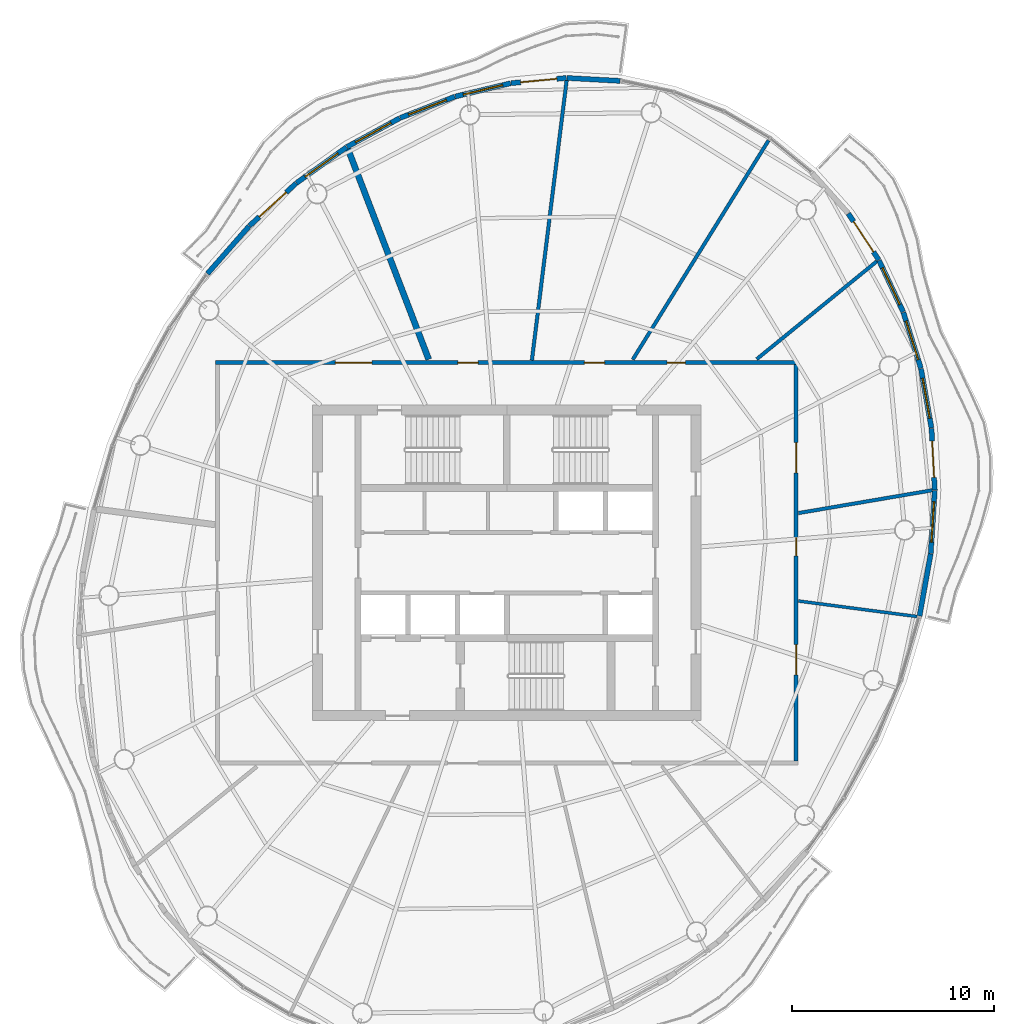
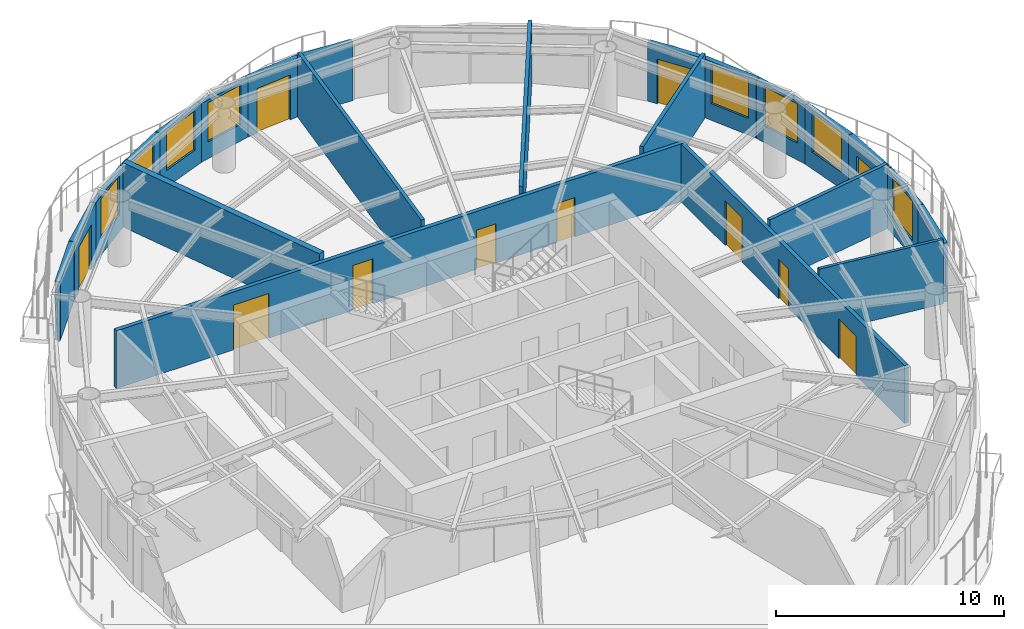
# One storey, part 9 of 13: 23 walls, 11 doors, 8 windows, 19 openings.
"""IFC4 building model written with IfcOpenShell, lengths in metres."""

import ifcopenshell
import ifcopenshell.guid

model = None  # the IFC model being written
_history = None  # IfcOwnerHistory: only IFC2X3 demands one
_inside = {}  # id of a spatial element -> (the spatial element, [elements in it])
_under = {}  # id of a project, library or spatial element -> (it, [spatial elements below it])
_declared = {}  # id of a project -> (the project, [libraries it declares])
_typed = {}  # id of a type object -> (the type object, [elements of that type])
_made_of = {}  # id of a material, layer set ... -> (it, [elements and type objects made of it])


def new_model(schema):
    """Start an empty IFC model of exactly this schema.

    Asked for "IFC4X3", IfcOpenShell would pick the latest addendum, in which some entities
    have other attributes; the version numbers below select the first issue.
    IFC2X3 requires an IfcOwnerHistory on every rooted entity: one is made here for all.
    """
    global model, _history
    if schema == "IFC4X3":
        model = ifcopenshell.file(schema_version=(4, 3, 0, 0))
    else:
        model = ifcopenshell.file(schema=schema)
    _inside.clear()
    _under.clear()
    _declared.clear()
    _typed.clear()
    _made_of.clear()
    _history = None
    if model.schema == "IFC2X3":
        org = make("IfcOrganization", Name="unknown")
        user = make(
            "IfcPersonAndOrganization",
            ThePerson=make("IfcPerson", FamilyName="unknown"),
            TheOrganization=org,
        )
        app = make(
            "IfcApplication",
            ApplicationDeveloper=org,
            Version="unknown",
            ApplicationFullName="unknown",
            ApplicationIdentifier="unknown",
        )
        _history = make(
            "IfcOwnerHistory",
            OwningUser=user,
            OwningApplication=app,
            ChangeAction="ADDED",
            CreationDate=0,
        )
    return model


def make(cls, **values):
    """One entity of the class cls with the attributes given. An attribute that is None is left unset."""
    return model.create_entity(
        cls, **{name: value for name, value in values.items() if value is not None}
    )


def rooted(cls, **values):
    """An entity with a GlobalId (a new one), such as an element, a storey or a relation."""
    return make(cls, GlobalId=ifcopenshell.guid.new(), OwnerHistory=_history, **values)


def si_unit(unit_type, name, prefix=None):
    """IfcSIUnit, for example si_unit("LENGTHUNIT", "METRE", prefix="MILLI")."""
    return make("IfcSIUnit", UnitType=unit_type, Prefix=prefix, Name=name)


def assignment(units):
    """IfcUnitAssignment: the units of a project."""
    return None if units is None else make("IfcUnitAssignment", Units=units)


def point(xyz):
    """IfcCartesianPoint."""
    return None if xyz is None else make("IfcCartesianPoint", Coordinates=xyz)


def direction(xyz):
    """IfcDirection."""
    return None if xyz is None else make("IfcDirection", DirectionRatios=xyz)


def frame(location, z_axis=None, x_axis=None):
    """IfcAxis2Placement3D, a coordinate frame: its origin and axes. An axis left out is left unset."""
    return make(
        "IfcAxis2Placement3D",
        Location=point(location),
        Axis=direction(z_axis),
        RefDirection=direction(x_axis),
    )


def frame_2d(location, x_axis=None):
    """IfcAxis2Placement2D, a coordinate frame in the plane: its origin and x axis."""
    return make(
        "IfcAxis2Placement2D", Location=point(location), RefDirection=direction(x_axis)
    )


def origin():
    """The frame at (0, 0, 0) with its axes left unset."""
    return frame((0.0, 0.0, 0.0))


def place(relative_to, where):
    """IfcLocalPlacement: puts the frame where relative to a parent placement (None: the world)."""
    return make(
        "IfcLocalPlacement", PlacementRelTo=relative_to, RelativePlacement=where
    )


def context(
    kind, dimensions, precision=None, world=None, true_north=None, identifier=None
):
    """IfcGeometricRepresentationContext, for example the 3D "Model" context."""
    return make(
        "IfcGeometricRepresentationContext",
        ContextIdentifier=identifier,
        ContextType=kind,
        CoordinateSpaceDimension=dimensions,
        Precision=precision,
        WorldCoordinateSystem=world,
        TrueNorth=true_north,
    )


def subcontext(parent, identifier, kind, view, scale=None):
    """IfcGeometricRepresentationSubContext, for example "Body" below "Model"."""
    return make(
        "IfcGeometricRepresentationSubContext",
        ContextIdentifier=identifier,
        ContextType=kind,
        ParentContext=parent,
        TargetScale=scale,
        TargetView=view,
    )


def project(units=None, contexts=None):
    """IfcProject with its units and contexts."""
    return rooted(
        "IfcProject",
        Name="project",
        RepresentationContexts=contexts,
        UnitsInContext=assignment(units),
    )


def spatial(cls, under=None, at=None, **own):
    """A site, building, storey or space (cls), placed at a placement, below another one or the project."""
    s = rooted(cls, ObjectPlacement=at, **own)
    if under is not None:
        _under.setdefault(under.id(), (under, []))[1].append(s)
    return s


def profile(cls, at=None, kind="AREA", **sizes):
    """A parametric profile (cls). Its sizes go by their IFC names, for example OverallWidth=200.0."""
    return make(cls, ProfileType=kind, Position=at, **sizes)


def rectangle(**sizes):
    """IfcRectangleProfileDef."""
    return profile("IfcRectangleProfileDef", **sizes)


def extrude(swept, where, along, depth):
    """IfcExtrudedAreaSolid: the profile swept, set in the frame where, extruded along a direction by depth."""
    return make(
        "IfcExtrudedAreaSolid",
        SweptArea=swept,
        Position=where,
        ExtrudedDirection=direction(along),
        Depth=depth,
    )


def shape(context_of_items, identifier, shape_type, items):
    """IfcShapeRepresentation: the items that make up one representation, for example the "Body"."""
    return make(
        "IfcShapeRepresentation",
        ContextOfItems=context_of_items,
        RepresentationIdentifier=identifier,
        RepresentationType=shape_type,
        Items=items,
    )


def material(Name=None, Category=None):
    """IfcMaterial."""
    return make("IfcMaterial", Name=Name, Category=Category)


def layer(
    of_material, thickness, ventilated=None, Name=None, Category=None, Priority=None
):
    """IfcMaterialLayer: one layer of a wall or slab, of a material (None: an air gap)."""
    return make(
        "IfcMaterialLayer",
        Material=of_material,
        LayerThickness=thickness,
        IsVentilated=ventilated,
        Name=Name,
        Category=Category,
        Priority=Priority,
    )


def layer_set(layers, Name=None):
    """IfcMaterialLayerSet."""
    return make("IfcMaterialLayerSet", MaterialLayers=layers, LayerSetName=Name)


def made_of(thing, what):
    """Note that an element or type object is made of a material, layer set ...; save() writes the relation."""
    if what is not None:
        _made_of.setdefault(what.id(), (what, []))[1].append(thing)
    return thing


def type_object(cls, material=None, **own):
    """A type object (cls), such as IfcWallType, which elements share."""
    return made_of(rooted(cls, **own), material)


def element(
    cls,
    number,
    at=None,
    inside=None,
    cuts=None,
    type_object=None,
    material=None,
    context=None,
    identifier="Body",
    shape_type=None,
    held_by="IfcProductDefinitionShape",
    body=None,
    shapes=None,
    **own,
):
    """One element of the class cls, such as IfcWall. Its Tag is "e" and its number.

    at: its placement. inside: the storey or other place that contains it. cuts: it is an
    opening in that element (IfcRelVoidsElement). A single representation is given by context,
    identifier, shape_type and body (its items); several are given by shapes. held_by: the class
    of the entity that holds the representations. save() writes the other relations.
    """
    e = rooted(cls, Tag="e%d" % number, ObjectPlacement=at, **own)
    if body is not None:
        shapes = [shape(context, identifier, shape_type, body)]
    if shapes is not None:
        e.Representation = make(held_by, Representations=shapes)
    if inside is not None:
        _inside.setdefault(inside.id(), (inside, []))[1].append(e)
    if cuts is not None:
        rooted(
            "IfcRelVoidsElement", RelatingBuildingElement=cuts, RelatedOpeningElement=e
        )
    if type_object is not None:
        _typed.setdefault(type_object.id(), (type_object, []))[1].append(e)
    return made_of(e, material)


def fill(opening, filler):
    """IfcRelFillsElement: the door or window that sits in an opening."""
    return rooted(
        "IfcRelFillsElement",
        RelatingOpeningElement=opening,
        RelatedBuildingElement=filler,
    )


def aggregate(whole, parts):
    """IfcRelAggregates: a whole, such as a stair, and the parts it consists of."""
    return rooted("IfcRelAggregates", RelatingObject=whole, RelatedObjects=parts)


def save(model, path):
    """Write the relations noted so far, then the file.

    IfcRelAggregates (storeys below a building ...), IfcRelContainedInSpatialStructure (elements
    in a storey), IfcRelDefinesByType, IfcRelAssociatesMaterial and IfcRelDeclares: one each for
    every whole, place, type object, material and project.
    """
    for whole, parts in _under.values():
        aggregate(whole, parts)
    for where, things in _inside.values():
        rooted(
            "IfcRelContainedInSpatialStructure",
            RelatedElements=things,
            RelatingStructure=where,
        )
    for kind, things in _typed.values():
        rooted("IfcRelDefinesByType", RelatedObjects=things, RelatingType=kind)
    for what, things in _made_of.values():
        rooted("IfcRelAssociatesMaterial", RelatedObjects=things, RelatingMaterial=what)
    for by, libraries in _declared.values():
        rooted("IfcRelDeclares", RelatingContext=by, RelatedDefinitions=libraries)
    model.write(path)


model = new_model("IFC4")

# Units and contexts
model_context = context("Model", 3, precision=1e-05, world=origin(), true_north=direction((0.0, 1.0)))
body_context = subcontext(model_context, "Body", "Model", "MODEL_VIEW")
ifc_project = project(units=[si_unit("LENGTHUNIT", "METRE"), si_unit("AREAUNIT", "SQUARE_METRE"), si_unit("VOLUMEUNIT", "CUBIC_METRE"), si_unit("PLANEANGLEUNIT", "RADIAN"), si_unit("MASSUNIT", "GRAM", prefix="KILO")], contexts=[model_context])

# Site, building, storey
site_placement = place(None, origin())
site = spatial("IfcSite", under=ifc_project, at=site_placement, CompositionType="ELEMENT")
building_placement = place(site_placement, origin())
building = spatial("IfcBuilding", under=site, at=building_placement, Name="Vermilion Reach Broadcast Tower", CompositionType="ELEMENT")
storey_placement = place(building_placement, frame((0.0, 0.0, 290.10009765625)))
storey = spatial("IfcBuildingStorey", under=building, at=storey_placement, Name="L72", CompositionType="ELEMENT", Elevation=290.10009765625)

# Walls
ifc_material_1 = material(Name="Lightweight concrete block, plastered", Category="concrete")
ifc_layer_1 = layer(ifc_material_1, 0.14990234375)
ifc_layer_set_1 = layer_set([ifc_layer_1], Name="Partition 150 lightweight block")
wall_type_1 = type_object("IfcWallType", Name="Partition 150 lightweight block", PredefinedType="PARTITIONING", material=ifc_layer_set_1)
wall_1_placement = place(storey_placement, frame((14.27001953125, -2.652099609375, 0.0), z_axis=(0.0, 0.0, 1.0), x_axis=(-0.991547118816, 0.129747104658, 0.0)))
element("IfcWall", 1, at=wall_1_placement, inside=storey, type_object=wall_type_1, Name="Partition 72.09", PredefinedType="PARTITIONING", context=body_context, shape_type="SweptSolid", body=[
    extrude(rectangle(XDim=5.910400390625, YDim=0.14990234375, at=frame_2d((2.955078125, 0.0))), origin(), (0.0, 0.0, 1.0), 3.449951171875),
])
ifc_material_2 = material(Name="Fire-rated block, plastered")
ifc_layer_2 = layer(ifc_material_2, 0.175048828125)
ifc_layer_set_2 = layer_set([ifc_layer_2], Name="Partition 175 fire-rated block")
wall_type_2 = type_object("IfcWallType", Name="Partition 175 fire-rated block", PredefinedType="PARTITIONING", material=ifc_layer_set_2)
wall_2_placement = place(storey_placement, frame((-3.04150390625, 23.84228515625, 0.0), z_axis=(0.0, 0.0, 1.0), x_axis=(-0.123142143045, -0.99238904297, 0.0)))
element("IfcWall", 2, at=wall_2_placement, inside=storey, type_object=wall_type_2, Name="Partition 72.01", PredefinedType="PARTITIONING", context=body_context, shape_type="SweptSolid", body=[
    extrude(rectangle(XDim=13.9375, YDim=0.175048828125, at=frame_2d((6.96875, 0.0))), origin(), (0.0, 0.0, 1.0), 3.449951171875),
])
wall_3_placement = place(storey_placement, frame((15.02880859375, 3.587890625, 0.0), z_axis=(0.0, 0.0, 1.0), x_axis=(-0.985756294693, -0.168180044814, 0.0)))
element("IfcWall", 3, at=wall_3_placement, inside=storey, type_object=wall_type_2, Name="Partition 72.10", PredefinedType="PARTITIONING", context=body_context, shape_type="SweptSolid", body=[
    extrude(rectangle(XDim=6.70947265625, YDim=0.175048828125, at=frame_2d((3.354736328125, 0.0))), origin(), (0.0, 0.0, 1.0), 3.449951171875),
])
wall_4_placement = place(storey_placement, frame((12.283935546875, 14.900146484375, 0.0), z_axis=(0.0, 0.0, 1.0), x_axis=(-0.775191568624, -0.631726231792, 0.0)))
element("IfcWall", 4, at=wall_4_placement, inside=storey, type_object=wall_type_2, Name="Partition 72.11", PredefinedType="PARTITIONING", context=body_context, shape_type="SweptSolid", body=[
    extrude(rectangle(XDim=7.6494140625, YDim=0.175048828125, at=frame_2d((3.82470703125, 0.0))), origin(), (0.0, 0.0, 1.0), 3.449951171875),
])
wall_5_placement = place(storey_placement, frame((6.9375, 20.877685546875, 0.0), z_axis=(0.0, 0.0, 1.0), x_axis=(-0.526747010392, -0.850022109738, 0.0)))
element("IfcWall", 5, at=wall_5_placement, inside=storey, type_object=wall_type_2, Name="Partition 72.12", PredefinedType="PARTITIONING", context=body_context, shape_type="SweptSolid", body=[
    extrude(rectangle(XDim=12.74267578125, YDim=0.175048828125, at=frame_2d((6.371337890625, 0.0))), origin(), (0.0, 0.0, 1.0), 3.449951171875),
])
ifc_material_3 = material(Name="Double-leaf plasterboard on isolated steel stud", Category="steel")
ifc_layer_3 = layer(ifc_material_3, 0.300048828125)
ifc_layer_set_3 = layer_set([ifc_layer_3], Name="Partition 300 acoustic double leaf")
wall_type_3 = type_object("IfcWallType", Name="Partition 300 acoustic double leaf", PredefinedType="PARTITIONING", material=ifc_layer_set_3)
wall_6_placement = place(storey_placement, frame((-13.84423828125, 20.445556640625, 0.0), z_axis=(0.0, 0.0, 1.0), x_axis=(0.358211704093, -0.933640388507, 0.0)))
element("IfcWall", 6, at=wall_6_placement, inside=storey, type_object=wall_type_3, Name="Partition 72.02", PredefinedType="PARTITIONING", context=body_context, shape_type="SweptSolid", body=[
    extrude(rectangle(XDim=11.13037109375, YDim=0.300048828125, at=frame_2d((5.565185546875, 0.0))), origin(), (0.0, 0.0, 1.0), 3.449951171875),
])
ifc_material_4 = material(Name="Terracotta rainscreen cladding", Category="masonry")
ifc_layer_4 = layer(ifc_material_4, 0.25)
ifc_layer_set_4 = layer_set([ifc_layer_4], Name="Terracotta rainscreen wall 250")
wall_type_4 = type_object("IfcWallType", Name="Terracotta rainscreen wall 250", PredefinedType="SOLIDWALL", material=ifc_layer_set_4)
wall_7_placement = place(storey_placement, frame((-0.395751953125, 23.820068359375, 0.0), z_axis=(0.0, 0.0, 1.0), x_axis=(-0.998463198624, 0.055418778352, 0.0)))
element("IfcWall", 7, at=wall_7_placement, inside=storey, type_object=wall_type_4, Name="External wall L72 02", PredefinedType="SOLIDWALL", context=body_context, shape_type="SweptSolid", body=[
    extrude(rectangle(XDim=2.638916015625, YDim=0.25, at=frame_2d((1.3193359375, 0.0))), origin(), (0.0, 0.0, 1.0), 3.14990234375),
])

# Wall, opening, door
wall_8_placement = place(storey_placement, frame((-3.05712890625, 23.9658203125, 0.0), z_axis=(0.0, 0.0, 1.0), x_axis=(-0.995626981475, -0.093417952019, 0.0)))
wall_8 = element("IfcWall", 8, at=wall_8_placement, inside=storey, type_object=wall_type_4, Name="External wall L72 03", PredefinedType="SOLIDWALL", context=body_context, shape_type="SweptSolid", body=[
    extrude(rectangle(XDim=2.741455078125, YDim=0.25, at=frame_2d((1.37060546875, 0.0))), origin(), (0.0, 0.0, 1.0), 3.14990234375),
])
opening_1_placement = place(wall_8_placement, frame((0.470947265625, 0.0, 0.0)))
opening_1 = element("IfcOpeningElement", 9, at=opening_1_placement, cuts=wall_8, Name="Opening D70", PredefinedType="OPENING", context=body_context, shape_type="SweptSolid", body=[
    extrude(rectangle(XDim=1.800048828125, YDim=2.39990234375, at=frame_2d((0.89990234375, 1.199951171875))), frame((0.0, 0.135009765625, 0.0), z_axis=(0.0, -1.0, 0.0), x_axis=(1.0, 0.0, 0.0)), (0.0, 0.0, 1.0), 0.27001953125),
])
ifc_material_5 = material(Name="Low-e laminated clear glass in aluminium frame", Category="aluminium")
door_type_1 = type_object("IfcDoorType", Name="Balcony sliding door 1800 x 2400", OperationType="DOUBLE_DOOR_SLIDING", PredefinedType="DOOR", material=ifc_material_5)
door_1_placement = place(opening_1_placement, origin())
door_1 = element("IfcDoor", 10, at=door_1_placement, inside=storey, type_object=door_type_1, Name="Balcony door L72 run 01", OperationType="DOUBLE_DOOR_SLIDING", OverallHeight=2.39990234375, OverallWidth=1.800048828125, PredefinedType="DOOR", context=body_context, shape_type="SweptSolid", body=[
    extrude(rectangle(XDim=1.800048828125, YDim=2.39990234375, at=frame_2d((0.89990234375, 1.199951171875))), frame((0.0, 0.02490234375, 0.0), z_axis=(0.0, -1.0, 0.0), x_axis=(1.0, 0.0, 0.0)), (0.0, 0.0, 1.0), 0.050048828125),
])
fill(opening_1, door_1)

# Wall, opening, window
wall_9_placement = place(storey_placement, frame((-5.81201171875, 23.70556640625, 0.0), z_axis=(0.0, 0.0, 1.0), x_axis=(-0.972306924108, -0.233707606491, 0.0)))
wall_9 = element("IfcWall", 11, at=wall_9_placement, inside=storey, type_object=wall_type_4, Name="External wall L72 04", PredefinedType="SOLIDWALL", context=body_context, shape_type="SweptSolid", body=[
    extrude(rectangle(XDim=2.814208984375, YDim=0.25, at=frame_2d((1.4072265625, 0.0))), origin(), (0.0, 0.0, 1.0), 3.14990234375),
])
opening_2_placement = place(wall_9_placement, frame((0.4072265625, 0.0, 0.89990234375)))
opening_2 = element("IfcOpeningElement", 12, at=opening_2_placement, cuts=wall_9, Name="Opening W03", PredefinedType="OPENING", context=body_context, shape_type="SweptSolid", body=[
    extrude(rectangle(XDim=2.0, YDim=2.10009765625, at=frame_2d((1.0, 1.050048828125))), frame((0.0, 0.135009765625, 0.0), z_axis=(0.0, -1.0, 0.0), x_axis=(1.0, 0.0, 0.0)), (0.0, 0.0, 1.0), 0.27001953125),
])
ifc_material_6 = material(Name="Low-e laminated clear glass in aluminium frame", Category="aluminium")
window_type = type_object("IfcWindowType", Name="Punched window 2000 x 2100 sill 900", PartitioningType="SINGLE_PANEL", PredefinedType="WINDOW", material=ifc_material_6)
window_1_placement = place(opening_2_placement, origin())
window_1 = element("IfcWindow", 13, at=window_1_placement, inside=storey, type_object=window_type, Name="Window L72 04", OverallHeight=2.10009765625, OverallWidth=2.0, PartitioningType="SINGLE_PANEL", PredefinedType="WINDOW", context=body_context, shape_type="SweptSolid", body=[
    extrude(rectangle(XDim=2.0, YDim=2.10009765625, at=frame_2d((1.0, 1.050048828125))), frame((0.0, 0.030029296875, 0.0), z_axis=(0.0, -1.0, 0.0), x_axis=(1.0, 0.0, 0.0)), (0.0, 0.0, 1.0), 0.06005859375),
])
fill(opening_2, window_1)

wall_10_placement = place(storey_placement, frame((-8.572021484375, 23.04052734375, 0.0), z_axis=(0.0, 0.0, 1.0), x_axis=(-0.931927060947, -0.362645768035, 0.0)))
wall_10 = element("IfcWall", 14, at=wall_10_placement, inside=storey, type_object=wall_type_4, Name="External wall L72 05", PredefinedType="SOLIDWALL", context=body_context, shape_type="SweptSolid", body=[
    extrude(rectangle(XDim=2.8935546875, YDim=0.25, at=frame_2d((1.44677734375, 0.0))), origin(), (0.0, 0.0, 1.0), 3.14990234375),
])
opening_3_placement = place(wall_10_placement, frame((0.44677734375, 0.0, 0.89990234375)))
opening_3 = element("IfcOpeningElement", 15, at=opening_3_placement, cuts=wall_10, Name="Opening W03", PredefinedType="OPENING", context=body_context, shape_type="SweptSolid", body=[
    extrude(rectangle(XDim=2.0, YDim=2.10009765625, at=frame_2d((1.0, 1.050048828125))), frame((0.0, 0.135009765625, 0.0), z_axis=(0.0, -1.0, 0.0), x_axis=(1.0, 0.0, 0.0)), (0.0, 0.0, 1.0), 0.27001953125),
])
window_2_placement = place(opening_3_placement, origin())
window_2 = element("IfcWindow", 16, at=window_2_placement, inside=storey, type_object=window_type, Name="Window L72 05", OverallHeight=2.10009765625, OverallWidth=2.0, PartitioningType="SINGLE_PANEL", PredefinedType="WINDOW", context=body_context, shape_type="SweptSolid", body=[
    extrude(rectangle(XDim=2.0, YDim=2.10009765625, at=frame_2d((1.0, 1.050048828125))), frame((0.0, 0.030029296875, 0.0), z_axis=(0.0, -1.0, 0.0), x_axis=(1.0, 0.0, 0.0)), (0.0, 0.0, 1.0), 0.06005859375),
])
fill(opening_3, window_2)

wall_11_placement = place(storey_placement, frame((-11.29052734375, 21.98095703125, 0.0), z_axis=(0.0, 0.0, 1.0), x_axis=(-0.877823384271, -0.478984452802, 0.0)))
wall_11 = element("IfcWall", 17, at=wall_11_placement, inside=storey, type_object=wall_type_4, Name="External wall L72 06", PredefinedType="SOLIDWALL", context=body_context, shape_type="SweptSolid", body=[
    extrude(rectangle(XDim=2.97314453125, YDim=0.25, at=frame_2d((1.486572265625, 0.0))), origin(), (0.0, 0.0, 1.0), 3.14990234375),
])
opening_4_placement = place(wall_11_placement, frame((0.486572265625, 0.0, 0.89990234375)))
opening_4 = element("IfcOpeningElement", 18, at=opening_4_placement, cuts=wall_11, Name="Opening W03", PredefinedType="OPENING", context=body_context, shape_type="SweptSolid", body=[
    extrude(rectangle(XDim=2.0, YDim=2.10009765625, at=frame_2d((1.0, 1.050048828125))), frame((0.0, 0.135009765625, 0.0), z_axis=(0.0, -1.0, 0.0), x_axis=(1.0, 0.0, 0.0)), (0.0, 0.0, 1.0), 0.27001953125),
])
window_3_placement = place(opening_4_placement, origin())
window_3 = element("IfcWindow", 19, at=window_3_placement, inside=storey, type_object=window_type, Name="Window L72 06", OverallHeight=2.10009765625, OverallWidth=2.0, PartitioningType="SINGLE_PANEL", PredefinedType="WINDOW", context=body_context, shape_type="SweptSolid", body=[
    extrude(rectangle(XDim=2.0, YDim=2.10009765625, at=frame_2d((1.0, 1.050048828125))), frame((0.0, 0.030029296875, 0.0), z_axis=(0.0, -1.0, 0.0), x_axis=(1.0, 0.0, 0.0)), (0.0, 0.0, 1.0), 0.06005859375),
])
fill(opening_4, window_3)

wall_12_placement = place(storey_placement, frame((-13.920166015625, 20.54443359375, 0.0), z_axis=(0.0, 0.0, 1.0), x_axis=(-0.812910032744, -0.582389284469, 0.0)))
wall_12 = element("IfcWall", 20, at=wall_12_placement, inside=storey, type_object=wall_type_4, Name="External wall L72 07", PredefinedType="SOLIDWALL", context=body_context, shape_type="SweptSolid", body=[
    extrude(rectangle(XDim=3.048095703125, YDim=0.25, at=frame_2d((1.52392578125, 0.0))), origin(), (0.0, 0.0, 1.0), 3.14990234375),
])
opening_5_placement = place(wall_12_placement, frame((0.524169921875, 0.0, 0.89990234375)))
opening_5 = element("IfcOpeningElement", 21, at=opening_5_placement, cuts=wall_12, Name="Opening W03", PredefinedType="OPENING", context=body_context, shape_type="SweptSolid", body=[
    extrude(rectangle(XDim=2.0, YDim=2.10009765625, at=frame_2d((1.0, 1.050048828125))), frame((0.0, 0.135009765625, 0.0), z_axis=(0.0, -1.0, 0.0), x_axis=(1.0, 0.0, 0.0)), (0.0, 0.0, 1.0), 0.27001953125),
])
window_4_placement = place(opening_5_placement, origin())
window_4 = element("IfcWindow", 22, at=window_4_placement, inside=storey, type_object=window_type, Name="Window L72 07", OverallHeight=2.10009765625, OverallWidth=2.0, PartitioningType="SINGLE_PANEL", PredefinedType="WINDOW", context=body_context, shape_type="SweptSolid", body=[
    extrude(rectangle(XDim=2.0, YDim=2.10009765625, at=frame_2d((1.0, 1.050048828125))), frame((0.0, 0.030029296875, 0.0), z_axis=(0.0, -1.0, 0.0), x_axis=(1.0, 0.0, 0.0)), (0.0, 0.0, 1.0), 0.06005859375),
])
fill(opening_5, window_4)

# Wall, opening, door
wall_13_placement = place(storey_placement, frame((-16.41552734375, 18.755126953125, 0.0), z_axis=(0.0, 0.0, 1.0), x_axis=(-0.739421840392, -0.673242409502, 0.0)))
wall_13 = element("IfcWall", 23, at=wall_13_placement, inside=storey, type_object=wall_type_4, Name="External wall L72 08", PredefinedType="SOLIDWALL", context=body_context, shape_type="SweptSolid", body=[
    extrude(rectangle(XDim=3.113525390625, YDim=0.25, at=frame_2d((1.556640625, 0.0))), origin(), (0.0, 0.0, 1.0), 3.14990234375),
])
opening_6_placement = place(wall_13_placement, frame((0.656982421875, 0.0, 0.0)))
opening_6 = element("IfcOpeningElement", 24, at=opening_6_placement, cuts=wall_13, Name="Opening D70", PredefinedType="OPENING", context=body_context, shape_type="SweptSolid", body=[
    extrude(rectangle(XDim=1.800048828125, YDim=2.39990234375, at=frame_2d((0.89990234375, 1.199951171875))), frame((0.0, 0.135009765625, 0.0), z_axis=(0.0, -1.0, 0.0), x_axis=(1.0, 0.0, 0.0)), (0.0, 0.0, 1.0), 0.27001953125),
])
door_2_placement = place(opening_6_placement, origin())
door_2 = element("IfcDoor", 25, at=door_2_placement, inside=storey, type_object=door_type_1, Name="Balcony door L72 run 02", OperationType="DOUBLE_DOOR_SLIDING", OverallHeight=2.39990234375, OverallWidth=1.800048828125, PredefinedType="DOOR", context=body_context, shape_type="SweptSolid", body=[
    extrude(rectangle(XDim=1.800048828125, YDim=2.39990234375, at=frame_2d((0.89990234375, 1.199951171875))), frame((0.0, 0.02490234375, 0.0), z_axis=(0.0, -1.0, 0.0), x_axis=(1.0, 0.0, 0.0)), (0.0, 0.0, 1.0), 0.050048828125),
])
fill(opening_6, door_2)

# Walls
for number, where, z_axis, x_axis, name in (
    (26, (-18.7333984375, 16.643310546875, 0.0), (0.0, 0.0, 1.0), (-0.658963977512, -0.752174498598, 0.0), "External wall L72 09"),
    (27, (14.4013671875, -2.626708984375, 0.0), (0.0, 0.0, 1.0), (0.175953031968, 0.98439856285, 0.0), "External wall L72 38"),
):
    element("IfcWall", number, at=place(storey_placement, frame(where, z_axis=z_axis, x_axis=x_axis)), inside=storey, type_object=wall_type_4, Name=name, PredefinedType="SOLIDWALL", context=body_context, shape_type="SweptSolid", body=[
        extrude(rectangle(XDim=3.1220703125, YDim=0.25, at=frame_2d((1.56103515625, 0.0))), origin(), (0.0, 0.0, 1.0), 3.14990234375),
    ])

# Wall, opening, window
wall_14_placement = place(storey_placement, frame((14.953369140625, 0.468505859375, 0.0), z_axis=(0.0, 0.0, 1.0), x_axis=(0.06414046047, 0.997940880679, 0.0)))
wall_14 = element("IfcWall", 28, at=wall_14_placement, inside=storey, type_object=wall_type_4, Name="External wall L72 39", PredefinedType="SOLIDWALL", context=body_context, shape_type="SweptSolid", body=[
    extrude(rectangle(XDim=3.113525390625, YDim=0.25, at=frame_2d((1.556640625, 0.0))), origin(), (0.0, 0.0, 1.0), 3.14990234375),
])
opening_7_placement = place(wall_14_placement, frame((0.556884765625, 0.0, 0.89990234375)))
opening_7 = element("IfcOpeningElement", 29, at=opening_7_placement, cuts=wall_14, Name="Opening W03", PredefinedType="OPENING", context=body_context, shape_type="SweptSolid", body=[
    extrude(rectangle(XDim=2.0, YDim=2.10009765625, at=frame_2d((1.0, 1.050048828125))), frame((0.0, 0.135009765625, 0.0), z_axis=(0.0, -1.0, 0.0), x_axis=(1.0, 0.0, 0.0)), (0.0, 0.0, 1.0), 0.27001953125),
])
window_5_placement = place(opening_7_placement, origin())
window_5 = element("IfcWindow", 30, at=window_5_placement, inside=storey, type_object=window_type, Name="Window L72 39", OverallHeight=2.10009765625, OverallWidth=2.0, PartitioningType="SINGLE_PANEL", PredefinedType="WINDOW", context=body_context, shape_type="SweptSolid", body=[
    extrude(rectangle(XDim=2.0, YDim=2.10009765625, at=frame_2d((1.0, 1.050048828125))), frame((0.0, 0.030029296875, 0.0), z_axis=(0.0, -1.0, 0.0), x_axis=(1.0, 0.0, 0.0)), (0.0, 0.0, 1.0), 0.06005859375),
])
fill(opening_7, window_5)

# Wall, opening, door
wall_15_placement = place(storey_placement, frame((15.1533203125, 3.598388671875, 0.0), z_axis=(0.0, 0.0, 1.0), x_axis=(-0.052781633418, 0.998606078078, 0.0)))
wall_15 = element("IfcWall", 31, at=wall_15_placement, inside=storey, type_object=wall_type_4, Name="External wall L72 40", PredefinedType="SOLIDWALL", context=body_context, shape_type="SweptSolid", body=[
    extrude(rectangle(XDim=3.048095703125, YDim=0.25, at=frame_2d((1.52392578125, 0.0))), origin(), (0.0, 0.0, 1.0), 3.14990234375),
])
opening_8_placement = place(wall_15_placement, frame((0.6240234375, 0.0, 0.0)))
opening_8 = element("IfcOpeningElement", 32, at=opening_8_placement, cuts=wall_15, Name="Opening D70", PredefinedType="OPENING", context=body_context, shape_type="SweptSolid", body=[
    extrude(rectangle(XDim=1.800048828125, YDim=2.39990234375, at=frame_2d((0.89990234375, 1.199951171875))), frame((0.0, 0.135009765625, 0.0), z_axis=(0.0, -1.0, 0.0), x_axis=(1.0, 0.0, 0.0)), (0.0, 0.0, 1.0), 0.27001953125),
])
door_3_placement = place(opening_8_placement, origin())
door_3 = element("IfcDoor", 33, at=door_3_placement, inside=storey, type_object=door_type_1, Name="Balcony door L72 run 10", OperationType="DOUBLE_DOOR_SLIDING", OverallHeight=2.39990234375, OverallWidth=1.800048828125, PredefinedType="DOOR", context=body_context, shape_type="SweptSolid", body=[
    extrude(rectangle(XDim=1.800048828125, YDim=2.39990234375, at=frame_2d((0.89990234375, 1.199951171875))), frame((0.0, 0.02490234375, 0.0), z_axis=(0.0, -1.0, 0.0), x_axis=(1.0, 0.0, 0.0)), (0.0, 0.0, 1.0), 0.050048828125),
])
fill(opening_8, door_3)

# Wall, opening, window
wall_16_placement = place(storey_placement, frame((14.989990234375, 6.665283203125, 0.0), z_axis=(0.0, 0.0, 1.0), x_axis=(-0.174071054852, 0.984733094733, 0.0)))
wall_16 = element("IfcWall", 34, at=wall_16_placement, inside=storey, type_object=wall_type_4, Name="External wall L72 41", PredefinedType="SOLIDWALL", context=body_context, shape_type="SweptSolid", body=[
    extrude(rectangle(XDim=2.973388671875, YDim=0.25, at=frame_2d((1.48681640625, 0.0))), origin(), (0.0, 0.0, 1.0), 3.14990234375),
])
opening_9_placement = place(wall_16_placement, frame((0.486572265625, 0.0, 0.89990234375)))
opening_9 = element("IfcOpeningElement", 35, at=opening_9_placement, cuts=wall_16, Name="Opening W03", PredefinedType="OPENING", context=body_context, shape_type="SweptSolid", body=[
    extrude(rectangle(XDim=2.0, YDim=2.10009765625, at=frame_2d((1.0, 1.050048828125))), frame((0.0, 0.135009765625, 0.0), z_axis=(0.0, -1.0, 0.0), x_axis=(1.0, 0.0, 0.0)), (0.0, 0.0, 1.0), 0.27001953125),
])
window_6_placement = place(opening_9_placement, origin())
window_6 = element("IfcWindow", 36, at=window_6_placement, inside=storey, type_object=window_type, Name="Window L72 41", OverallHeight=2.10009765625, OverallWidth=2.0, PartitioningType="SINGLE_PANEL", PredefinedType="WINDOW", context=body_context, shape_type="SweptSolid", body=[
    extrude(rectangle(XDim=2.0, YDim=2.10009765625, at=frame_2d((1.0, 1.050048828125))), frame((0.0, 0.030029296875, 0.0), z_axis=(0.0, -1.0, 0.0), x_axis=(1.0, 0.0, 0.0)), (0.0, 0.0, 1.0), 0.06005859375),
])
fill(opening_9, window_6)

wall_17_placement = place(storey_placement, frame((14.466796875, 9.616455078125, 0.0), z_axis=(0.0, 0.0, 1.0), x_axis=(-0.298683323116, 0.954352279031, 0.0)))
wall_17 = element("IfcWall", 37, at=wall_17_placement, inside=storey, type_object=wall_type_4, Name="External wall L72 42", PredefinedType="SOLIDWALL", context=body_context, shape_type="SweptSolid", body=[
    extrude(rectangle(XDim=2.8935546875, YDim=0.25, at=frame_2d((1.44677734375, 0.0))), origin(), (0.0, 0.0, 1.0), 3.14990234375),
])
opening_10_placement = place(wall_17_placement, frame((0.44677734375, 0.0, 0.89990234375)))
opening_10 = element("IfcOpeningElement", 38, at=opening_10_placement, cuts=wall_17, Name="Opening W03", PredefinedType="OPENING", context=body_context, shape_type="SweptSolid", body=[
    extrude(rectangle(XDim=2.0, YDim=2.10009765625, at=frame_2d((1.0, 1.050048828125))), frame((0.0, 0.135009765625, 0.0), z_axis=(0.0, -1.0, 0.0), x_axis=(1.0, 0.0, 0.0)), (0.0, 0.0, 1.0), 0.27001953125),
])
window_7_placement = place(opening_10_placement, origin())
window_7 = element("IfcWindow", 39, at=window_7_placement, inside=storey, type_object=window_type, Name="Window L72 42", OverallHeight=2.10009765625, OverallWidth=2.0, PartitioningType="SINGLE_PANEL", PredefinedType="WINDOW", context=body_context, shape_type="SweptSolid", body=[
    extrude(rectangle(XDim=2.0, YDim=2.10009765625, at=frame_2d((1.0, 1.050048828125))), frame((0.0, 0.030029296875, 0.0), z_axis=(0.0, -1.0, 0.0), x_axis=(1.0, 0.0, 0.0)), (0.0, 0.0, 1.0), 0.06005859375),
])
fill(opening_10, window_7)

wall_18_placement = place(storey_placement, frame((13.593505859375, 12.401123046875, 0.0), z_axis=(0.0, 0.0, 1.0), x_axis=(-0.424551668491, 0.905403711491, 0.0)))
wall_18 = element("IfcWall", 40, at=wall_18_placement, inside=storey, type_object=wall_type_4, Name="External wall L72 43", PredefinedType="SOLIDWALL", context=body_context, shape_type="SweptSolid", body=[
    extrude(rectangle(XDim=2.814208984375, YDim=0.25, at=frame_2d((1.4072265625, 0.0))), origin(), (0.0, 0.0, 1.0), 3.14990234375),
])
opening_11_placement = place(wall_18_placement, frame((0.4072265625, 0.0, 0.89990234375)))
opening_11 = element("IfcOpeningElement", 41, at=opening_11_placement, cuts=wall_18, Name="Opening W03", PredefinedType="OPENING", context=body_context, shape_type="SweptSolid", body=[
    extrude(rectangle(XDim=2.0, YDim=2.10009765625, at=frame_2d((1.0, 1.050048828125))), frame((0.0, 0.135009765625, 0.0), z_axis=(0.0, -1.0, 0.0), x_axis=(1.0, 0.0, 0.0)), (0.0, 0.0, 1.0), 0.27001953125),
])
window_8_placement = place(opening_11_placement, origin())
window_8 = element("IfcWindow", 42, at=window_8_placement, inside=storey, type_object=window_type, Name="Window L72 43", OverallHeight=2.10009765625, OverallWidth=2.0, PartitioningType="SINGLE_PANEL", PredefinedType="WINDOW", context=body_context, shape_type="SweptSolid", body=[
    extrude(rectangle(XDim=2.0, YDim=2.10009765625, at=frame_2d((1.0, 1.050048828125))), frame((0.0, 0.030029296875, 0.0), z_axis=(0.0, -1.0, 0.0), x_axis=(1.0, 0.0, 0.0)), (0.0, 0.0, 1.0), 0.06005859375),
])
fill(opening_11, window_8)

# Wall, opening, door
wall_19_placement = place(storey_placement, frame((12.385986328125, 14.9716796875, 0.0), z_axis=(0.0, 0.0, 1.0), x_axis=(-0.548705074574, 0.83601599335, 0.0)))
wall_19 = element("IfcWall", 43, at=wall_19_placement, inside=storey, type_object=wall_type_4, Name="External wall L72 44", PredefinedType="SOLIDWALL", context=body_context, shape_type="SweptSolid", body=[
    extrude(rectangle(XDim=2.7412109375, YDim=0.25, at=frame_2d((1.37060546875, 0.0))), origin(), (0.0, 0.0, 1.0), 3.14990234375),
])
opening_12_placement = place(wall_19_placement, frame((0.470947265625, 0.0, 0.0)))
opening_12 = element("IfcOpeningElement", 44, at=opening_12_placement, cuts=wall_19, Name="Opening D70", PredefinedType="OPENING", context=body_context, shape_type="SweptSolid", body=[
    extrude(rectangle(XDim=1.800048828125, YDim=2.39990234375, at=frame_2d((0.89990234375, 1.199951171875))), frame((0.0, 0.135009765625, 0.0), z_axis=(0.0, -1.0, 0.0), x_axis=(1.0, 0.0, 0.0)), (0.0, 0.0, 1.0), 0.27001953125),
])
door_4_placement = place(opening_12_placement, origin())
door_4 = element("IfcDoor", 45, at=door_4_placement, inside=storey, type_object=door_type_1, Name="Balcony door L72 run 11", OperationType="DOUBLE_DOOR_SLIDING", OverallHeight=2.39990234375, OverallWidth=1.800048828125, PredefinedType="DOOR", context=body_context, shape_type="SweptSolid", body=[
    extrude(rectangle(XDim=1.800048828125, YDim=2.39990234375, at=frame_2d((0.89990234375, 1.199951171875))), frame((0.0, 0.02490234375, 0.0), z_axis=(0.0, -1.0, 0.0), x_axis=(1.0, 0.0, 0.0)), (0.0, 0.0, 1.0), 0.050048828125),
])
fill(opening_12, door_4)

# Wall, openings, doors
ifc_material_7 = material(Name="Fire-rated gypsum board partition")
ifc_layer_5 = layer(ifc_material_7, 0.199951171875)
ifc_layer_set_5 = layer_set([ifc_layer_5], Name="Under girder: Corridor wall 200 fire-rated")
wall_type_5 = type_object("IfcWallType", Name="Under girder: Corridor wall 200 fire-rated", PredefinedType="PARTITIONING", material=ifc_layer_set_5)
wall_20_placement = place(storey_placement, frame((-20.39990234375, 9.89990234375, 0.0), z_axis=(0.0, 0.0, 1.0), x_axis=(1.0, 0.0, 0.0)))
wall_20 = element("IfcWall", 46, at=wall_20_placement, inside=storey, type_object=wall_type_5, Name="Corridor wall 72.N", PredefinedType="PARTITIONING", context=body_context, shape_type="SweptSolid", body=[
    extrude(rectangle(XDim=28.7998046875, YDim=0.199951171875, at=frame_2d((14.39990234375, 0.0))), origin(), (0.0, 0.0, 1.0), 3.099853515625),
])
opening_13_placement = place(wall_20_placement, frame((11.986572265625, 0.0, 0.0)))
opening_13 = element("IfcOpeningElement", 47, at=opening_13_placement, cuts=wall_20, Name="Opening D23", PredefinedType="OPENING", context=body_context, shape_type="SweptSolid", body=[
    extrude(rectangle(XDim=1.0, YDim=2.39990234375, at=frame_2d((0.5, 1.199951171875))), frame((0.0, 0.10986328125, 0.0), z_axis=(0.0, -1.0, 0.0), x_axis=(1.0, 0.0, 0.0)), (0.0, 0.0, 1.0), 0.219970703125),
])
opening_14_placement = place(wall_20_placement, frame((5.934326171875, 0.0, 0.0)))
opening_14 = element("IfcOpeningElement", 48, at=opening_14_placement, cuts=wall_20, Name="Opening D27", PredefinedType="OPENING", context=body_context, shape_type="SweptSolid", body=[
    extrude(rectangle(XDim=1.800048828125, YDim=2.39990234375, at=frame_2d((0.89990234375, 1.199951171875))), frame((0.0, 0.10986328125, 0.0), z_axis=(0.0, -1.0, 0.0), x_axis=(1.0, 0.0, 0.0)), (0.0, 0.0, 1.0), 0.219970703125),
])
opening_15_placement = place(wall_20_placement, frame((22.32421875, 0.0, 0.0)))
opening_15 = element("IfcOpeningElement", 49, at=opening_15_placement, cuts=wall_20, Name="Opening D22", PredefinedType="OPENING", context=body_context, shape_type="SweptSolid", body=[
    extrude(rectangle(XDim=0.89990234375, YDim=2.10009765625, at=frame_2d((0.449951171875, 1.050048828125))), frame((0.0, 0.10986328125, 0.0), z_axis=(0.0, -1.0, 0.0), x_axis=(1.0, 0.0, 0.0)), (0.0, 0.0, 1.0), 0.219970703125),
])
opening_16_placement = place(wall_20_placement, frame((18.235107421875, 0.0, 0.0)))
opening_16 = element("IfcOpeningElement", 50, at=opening_16_placement, cuts=wall_20, Name="Opening D20", PredefinedType="OPENING", context=body_context, shape_type="SweptSolid", body=[
    extrude(rectangle(XDim=1.0, YDim=2.10009765625, at=frame_2d((0.5, 1.050048828125))), frame((0.0, 0.10986328125, 0.0), z_axis=(0.0, -1.0, 0.0), x_axis=(1.0, 0.0, 0.0)), (0.0, 0.0, 1.0), 0.219970703125),
])
ifc_material_8 = material(Name="Acoustic timber door leaf", Category="wood")
door_type_2 = type_object("IfcDoorType", Name="Door pair 1800x2400", OperationType="NOTDEFINED", PredefinedType="DOOR", material=ifc_material_8)
door_5_placement = place(opening_14_placement, origin())
door_5 = element("IfcDoor", 51, at=door_5_placement, inside=storey, type_object=door_type_2, Name="Door 72.02", OperationType="DOUBLE_DOOR_SINGLE_SWING", OverallHeight=2.39990234375, OverallWidth=1.800048828125, PredefinedType="DOOR", context=body_context, shape_type="SweptSolid", body=[
    extrude(rectangle(XDim=1.800048828125, YDim=2.39990234375, at=frame_2d((0.89990234375, 1.199951171875))), frame((0.0, 0.02490234375, 0.0), z_axis=(0.0, -1.0, 0.0), x_axis=(1.0, 0.0, 0.0)), (0.0, 0.0, 1.0), 0.050048828125),
])
fill(opening_14, door_5)
ifc_material_9 = material(Name="Timber door leaf", Category="wood")
door_type_3 = type_object("IfcDoorType", Name="Door single 1000x2100", OperationType="NOTDEFINED", PredefinedType="DOOR", material=ifc_material_9)
door_6_placement = place(opening_16_placement, origin())
door_6 = element("IfcDoor", 52, at=door_6_placement, inside=storey, type_object=door_type_3, Name="Door 72.12", OperationType="SINGLE_SWING_RIGHT", OverallHeight=2.10009765625, OverallWidth=1.0, PredefinedType="DOOR", context=body_context, shape_type="SweptSolid", body=[
    extrude(rectangle(XDim=1.0, YDim=2.10009765625, at=frame_2d((0.5, 1.050048828125))), frame((0.0, 0.02490234375, 0.0), z_axis=(0.0, -1.0, 0.0), x_axis=(1.0, 0.0, 0.0)), (0.0, 0.0, 1.0), 0.050048828125),
])
fill(opening_16, door_6)
ifc_material_10 = material(Name="Veneered timber door leaf", Category="wood")
door_type_4 = type_object("IfcDoorType", Name="Door single 1000x2400", OperationType="NOTDEFINED", PredefinedType="DOOR", material=ifc_material_10)
door_7_placement = place(opening_13_placement, origin())
door_7 = element("IfcDoor", 53, at=door_7_placement, inside=storey, type_object=door_type_4, Name="Door 72.01", OperationType="SINGLE_SWING_LEFT", OverallHeight=2.39990234375, OverallWidth=1.0, PredefinedType="DOOR", context=body_context, shape_type="SweptSolid", body=[
    extrude(rectangle(XDim=1.0, YDim=2.39990234375, at=frame_2d((0.5, 1.199951171875))), frame((0.0, 0.02490234375, 0.0), z_axis=(0.0, -1.0, 0.0), x_axis=(1.0, 0.0, 0.0)), (0.0, 0.0, 1.0), 0.050048828125),
])
fill(opening_13, door_7)
ifc_material_11 = material(Name="Timber door leaf", Category="wood")
door_type_5 = type_object("IfcDoorType", Name="Door single 900x2100", OperationType="NOTDEFINED", PredefinedType="DOOR", material=ifc_material_11)
door_8_placement = place(opening_15_placement, origin())
door_8 = element("IfcDoor", 54, at=door_8_placement, inside=storey, type_object=door_type_5, Name="Door 72.11", OperationType="SINGLE_SWING_LEFT", OverallHeight=2.10009765625, OverallWidth=0.89990234375, PredefinedType="DOOR", context=body_context, shape_type="SweptSolid", body=[
    extrude(rectangle(XDim=0.89990234375, YDim=2.10009765625, at=frame_2d((0.449951171875, 1.050048828125))), frame((0.0, 0.02490234375, 0.0), z_axis=(0.0, -1.0, 0.0), x_axis=(1.0, 0.0, 0.0)), (0.0, 0.0, 1.0), 0.050048828125),
])
fill(opening_15, door_8)

wall_21_placement = place(storey_placement, frame((8.300048828125, 9.800048828125, 0.0), z_axis=(0.0, 0.0, 1.0), x_axis=(0.0, -1.0, 0.0)))
wall_21 = element("IfcWall", 55, at=wall_21_placement, inside=storey, type_object=wall_type_5, Name="Corridor wall 72.E", PredefinedType="PARTITIONING", context=body_context, shape_type="SweptSolid", body=[
    extrude(rectangle(XDim=19.60009765625, YDim=0.199951171875, at=frame_2d((9.800048828125, 0.0))), origin(), (0.0, 0.0, 1.0), 3.099853515625),
])
opening_17_placement = place(wall_21_placement, frame((13.8388671875, 0.0, 0.0)))
opening_17 = element("IfcOpeningElement", 56, at=opening_17_placement, cuts=wall_21, Name="Opening D24", PredefinedType="OPENING", context=body_context, shape_type="SweptSolid", body=[
    extrude(rectangle(XDim=1.5, YDim=2.10009765625, at=frame_2d((0.75, 1.050048828125))), frame((0.0, 0.10986328125, 0.0), z_axis=(0.0, -1.0, 0.0), x_axis=(1.0, 0.0, 0.0)), (0.0, 0.0, 1.0), 0.219970703125),
])
opening_18_placement = place(wall_21_placement, frame((8.55029296875, 0.0, 0.0)))
opening_18 = element("IfcOpeningElement", 57, at=opening_18_placement, cuts=wall_21, Name="Opening D22", PredefinedType="OPENING", context=body_context, shape_type="SweptSolid", body=[
    extrude(rectangle(XDim=0.89990234375, YDim=2.10009765625, at=frame_2d((0.449951171875, 1.050048828125))), frame((0.0, 0.10986328125, 0.0), z_axis=(0.0, -1.0, 0.0), x_axis=(1.0, 0.0, 0.0)), (0.0, 0.0, 1.0), 0.219970703125),
])
opening_19_placement = place(wall_21_placement, frame((3.855224609375, 0.0, 0.0)))
opening_19 = element("IfcOpeningElement", 58, at=opening_19_placement, cuts=wall_21, Name="Opening D25", PredefinedType="OPENING", context=body_context, shape_type="SweptSolid", body=[
    extrude(rectangle(XDim=1.5, YDim=2.39990234375, at=frame_2d((0.75, 1.199951171875))), frame((0.0, 0.10986328125, 0.0), z_axis=(0.0, -1.0, 0.0), x_axis=(1.0, 0.0, 0.0)), (0.0, 0.0, 1.0), 0.219970703125),
])
ifc_material_12 = material(Name="Timber door leaf", Category="wood")
door_type_6 = type_object("IfcDoorType", Name="Door pair 1500x2100", OperationType="NOTDEFINED", PredefinedType="DOOR", material=ifc_material_12)
door_9_placement = place(opening_17_placement, origin())
door_9 = element("IfcDoor", 59, at=door_9_placement, inside=storey, type_object=door_type_6, Name="Door 72.08", OperationType="DOUBLE_DOOR_SINGLE_SWING", OverallHeight=2.10009765625, OverallWidth=1.5, PredefinedType="DOOR", context=body_context, shape_type="SweptSolid", body=[
    extrude(rectangle(XDim=1.5, YDim=2.10009765625, at=frame_2d((0.75, 1.050048828125))), frame((0.0, 0.02490234375, 0.0), z_axis=(0.0, -1.0, 0.0), x_axis=(1.0, 0.0, 0.0)), (0.0, 0.0, 1.0), 0.050048828125),
])
fill(opening_17, door_9)
ifc_material_13 = material(Name="Glazed timber door leaf", Category="wood")
door_type_7 = type_object("IfcDoorType", Name="Door pair 1500x2400", OperationType="NOTDEFINED", PredefinedType="DOOR", material=ifc_material_13)
door_10_placement = place(opening_19_placement, origin())
door_10 = element("IfcDoor", 60, at=door_10_placement, inside=storey, type_object=door_type_7, Name="Door 72.10", OperationType="DOUBLE_DOOR_SINGLE_SWING", OverallHeight=2.39990234375, OverallWidth=1.5, PredefinedType="DOOR", context=body_context, shape_type="SweptSolid", body=[
    extrude(rectangle(XDim=1.5, YDim=2.39990234375, at=frame_2d((0.75, 1.199951171875))), frame((0.0, 0.02490234375, 0.0), z_axis=(0.0, -1.0, 0.0), x_axis=(1.0, 0.0, 0.0)), (0.0, 0.0, 1.0), 0.050048828125),
])
fill(opening_19, door_10)
door_11_placement = place(opening_18_placement, origin())
door_11 = element("IfcDoor", 61, at=door_11_placement, inside=storey, type_object=door_type_5, Name="Door 72.09", OperationType="SINGLE_SWING_LEFT", OverallHeight=2.10009765625, OverallWidth=0.89990234375, PredefinedType="DOOR", context=body_context, shape_type="SweptSolid", body=[
    extrude(rectangle(XDim=0.89990234375, YDim=2.10009765625, at=frame_2d((0.449951171875, 1.050048828125))), frame((0.0, 0.02490234375, 0.0), z_axis=(0.0, -1.0, 0.0), x_axis=(1.0, 0.0, 0.0)), (0.0, 0.0, 1.0), 0.050048828125),
])
fill(opening_18, door_11)

save(model, "model.ifc")
